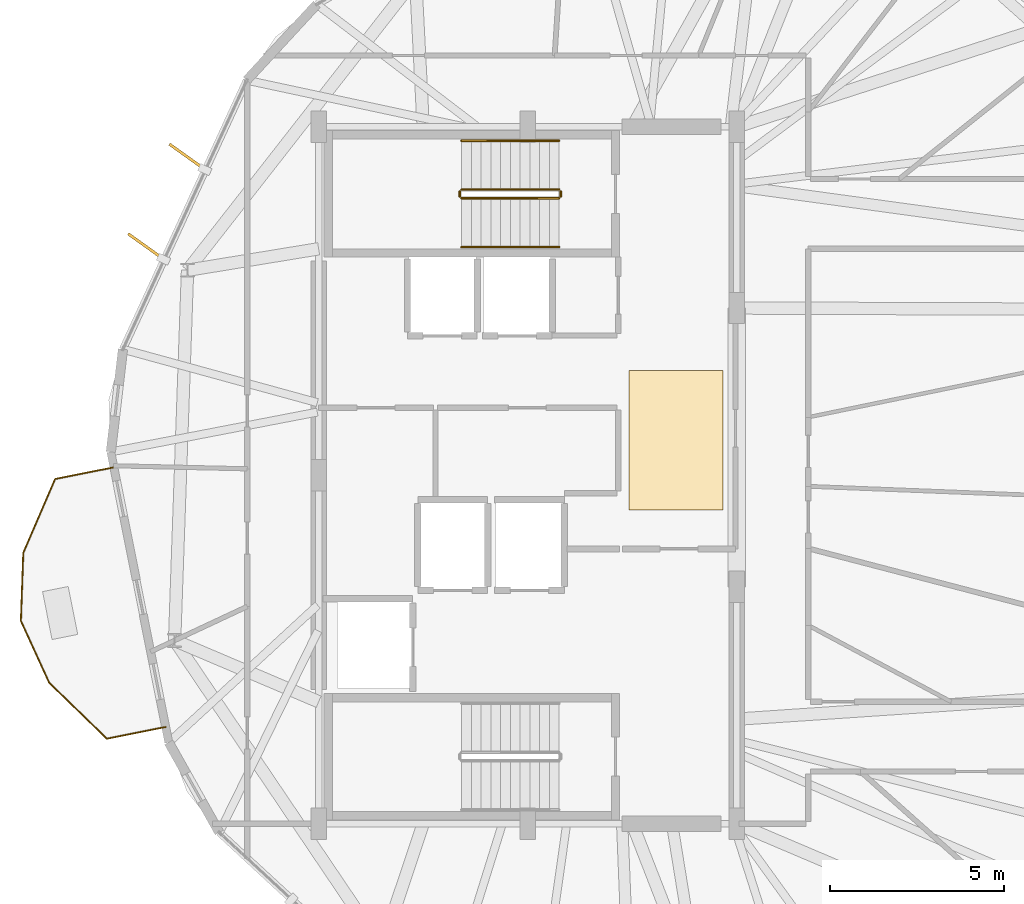
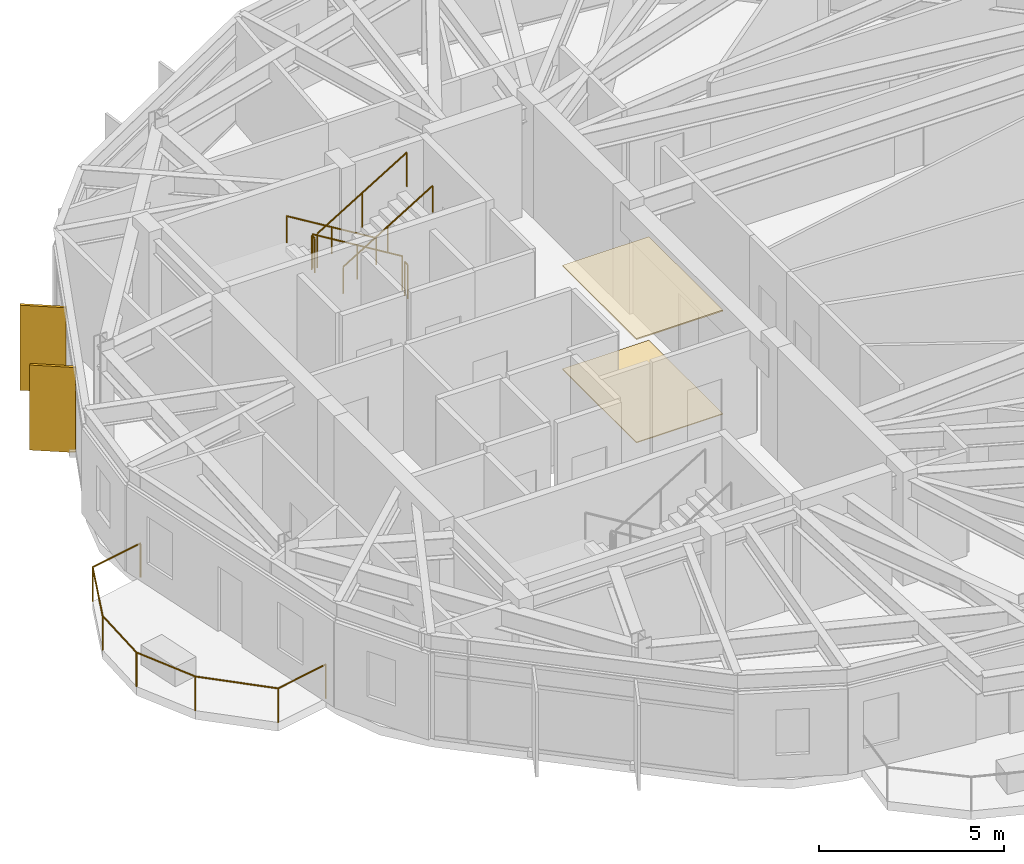
# One storey, part 24 of 25: 7 railings, 2 coverings, 2 shading devices.
"""IFC4 building model written with IfcOpenShell, lengths in metres."""

from ifc_helpers import new_model, si_unit, direction, frame, origin, origin_2d, place, context, subcontext, project, spatial, polyline, rectangle, circle, outline, extrude, material, layer, layer_set, type_object, element, save


model = new_model("IFC4")

# Units and contexts
model_context = context("Model", 3, precision=1e-05, world=origin(), true_north=direction((0.0, 1.0)))
body_context = subcontext(model_context, "Body", "Model", "MODEL_VIEW")
ifc_project = project(units=[si_unit("LENGTHUNIT", "METRE"), si_unit("AREAUNIT", "SQUARE_METRE"), si_unit("VOLUMEUNIT", "CUBIC_METRE"), si_unit("PLANEANGLEUNIT", "RADIAN"), si_unit("MASSUNIT", "GRAM", prefix="KILO")], contexts=[model_context])

# Site, building, storey
site_placement = place(None, origin())
site = spatial("IfcSite", under=ifc_project, at=site_placement, CompositionType="ELEMENT")
building_placement = place(site_placement, origin())
building = spatial("IfcBuilding", under=site, at=building_placement, Name="Soratama Intermodal Tower", CompositionType="ELEMENT")
storey_placement = place(building_placement, frame((0.0, 0.0, 272.5)))
storey = spatial("IfcBuildingStorey", under=building, at=storey_placement, Name="L69", CompositionType="ELEMENT", Elevation=272.5)

# Coverings
ifc_material_1 = material(Name="Perforated mineral acoustic ceiling", Category="concrete")
ifc_layer_1 = layer(ifc_material_1, 0.0400390625)
ifc_layer_set_1 = layer_set([ifc_layer_1], Name="Perforated mineral acoustic ceiling")
covering_type_1 = type_object("IfcCoveringType", Name="CV-CEIL-ACOUSTIC", PredefinedType="CEILING", material=ifc_layer_set_1)
covering_1_placement = place(storey_placement, frame((0.0, 0.0, 3.409912109375)))
element("IfcCovering", 1, at=covering_1_placement, inside=storey, type_object=covering_type_1, Name="L69 Acoustic Ceiling", PredefinedType="CEILING", context=body_context, shape_type="SweptSolid", body=[
    extrude(outline(polyline([(41.5, 24.0), (44.199951171875, 24.0), (44.199951171875, 28.0), (41.5, 28.0), (41.5, 24.0)])), origin(), (0.0, 0.0, 1.0), 0.0400390625),
])
ifc_material_2 = material(Name="Polished Andean stone terrazzo flooring", Category="masonry")
ifc_layer_2 = layer(ifc_material_2, 0.030029296875)
ifc_layer_set_2 = layer_set([ifc_layer_2], Name="Polished Andean stone terrazzo flooring")
covering_type_2 = type_object("IfcCoveringType", Name="CV-FLOR-TERRAZZO", PredefinedType="FLOORING", material=ifc_layer_set_2)
covering_2_placement = place(storey_placement, origin())
element("IfcCovering", 2, at=covering_2_placement, inside=storey, type_object=covering_type_2, Name="L69 Lobby Terrazzo Flooring", PredefinedType="FLOORING", context=body_context, shape_type="SweptSolid", body=[
    extrude(outline(polyline([(41.5, 24.0), (44.199951171875, 24.0), (44.199951171875, 28.0), (41.5, 28.0), (41.5, 24.0)])), origin(), (0.0, 0.0, 1.0), 0.030029296875),
])

# Railings
ifc_material_3 = material(Name="Laminated glass and stainless steel balustrade", Category="steel")
railing_type_1 = type_object("IfcRailingType", Name="RL-BAL-1150", PredefinedType="BALUSTRADE", material=ifc_material_3)
railing_1_placement = place(storey_placement, frame((28.208740234375, 17.776123046875, 0.0)))
element("IfcRailing", 3, at=railing_1_placement, inside=storey, type_object=railing_type_1, Name="L69 Balcony Balustrade 2", PredefinedType="BALUSTRADE", context=body_context, shape_type="SweptSolid", body=[
    extrude(circle(Radius=0.02392578125, at=origin_2d()), frame((0.0, 0.0, 1.1259765625), z_axis=(-0.98068426612, -0.19559746978, 0.0), x_axis=(0.19559746978, -0.98068426612, 0.0)), (0.0, 0.0, 1.0), 1.719970703125),
    extrude(circle(Radius=0.02392578125, at=origin_2d()), frame((-1.686767578125, -0.33642578125, 1.1259765625), z_axis=(-0.717969268323, 0.696074801831, 0.0), x_axis=(-0.696074801831, -0.717969268323, 0.0)), (0.0, 0.0, 1.0), 2.30810546875),
    extrude(circle(Radius=0.02392578125, at=origin_2d()), frame((-3.343994140625, 1.270263671875, 1.1259765625), z_axis=(-0.41588386792, 0.909417730421, 0.0), x_axis=(-0.909417730421, -0.41588386792, 0.0)), (0.0, 0.0, 1.0), 1.952392578125),
    extrude(circle(Radius=0.02392578125, at=origin_2d()), frame((-4.156005859375, 3.0458984375, 1.1259765625), z_axis=(0.035267747173, 0.9993778995, 0.0), x_axis=(-0.9993778995, 0.035267747173, 0.0)), (0.0, 0.0, 1.0), 1.9521484375),
    extrude(circle(Radius=0.02392578125, at=origin_2d()), frame((-4.087158203125, 4.996826171875, 1.1259765625), z_axis=(0.395897013826, 0.918294916921, 0.0), x_axis=(-0.918294916921, 0.395897013826, 0.0)), (0.0, 0.0, 1.0), 2.30810546875),
    extrude(circle(Radius=0.02392578125, at=origin_2d()), frame((-3.17333984375, 7.116455078125, 1.1259765625), z_axis=(0.98068426612, 0.19559746978, 0.0), x_axis=(-0.19559746978, 0.98068426612, 0.0)), (0.0, 0.0, 1.0), 1.719970703125),
    extrude(circle(Radius=0.02099609375, at=origin_2d()), origin(), (0.0, 0.0, 1.0), 1.101806640625),
    extrude(circle(Radius=0.02099609375, at=origin_2d()), frame((-1.686767578125, -0.33642578125, 0.0)), (0.0, 0.0, 1.0), 1.101806640625),
    extrude(circle(Radius=0.02099609375, at=origin_2d()), frame((-3.343994140625, 1.270263671875, 0.0)), (0.0, 0.0, 1.0), 1.101806640625),
    extrude(circle(Radius=0.02099609375, at=origin_2d()), frame((-4.156005859375, 3.0458984375, 0.0)), (0.0, 0.0, 1.0), 1.101806640625),
    extrude(circle(Radius=0.02099609375, at=origin_2d()), frame((-4.087158203125, 4.996826171875, 0.0)), (0.0, 0.0, 1.0), 1.101806640625),
    extrude(circle(Radius=0.02099609375, at=origin_2d()), frame((-3.17333984375, 7.116455078125, 0.0)), (0.0, 0.0, 1.0), 1.101806640625),
    extrude(circle(Radius=0.02099609375, at=origin_2d()), frame((-1.486572265625, 7.452880859375, 0.0)), (0.0, 0.0, 1.0), 1.101806640625),
])
ifc_material_4 = material(Name="Painted steel stair guardrail", Category="steel")
railing_type_2 = type_object("IfcRailingType", Name="RL-STAIR-GUARD", PredefinedType="GUARDRAIL", material=ifc_material_4)
railing_2_placement = place(storey_placement, frame((39.5, 33.199951171875, 0.17041015625)))
element("IfcRailing", 4, at=railing_2_placement, inside=storey, type_object=railing_type_2, Name="L69 ST-2 stair guard 1", PredefinedType="GUARDRAIL", context=body_context, shape_type="SweptSolid", body=[
    extrude(circle(Radius=0.02392578125, at=origin_2d()), frame((0.0, 0.0, 1.1259765625), z_axis=(-0.854169791009, 0.0, 0.51999420009), x_axis=(0.0, -1.0, 0.0)), (0.0, 0.0, 1.0), 3.278076171875),
    extrude(circle(Radius=0.02099609375, at=origin_2d()), origin(), (0.0, 0.0, 1.0), 1.101806640625),
    extrude(circle(Radius=0.02099609375, at=origin_2d()), frame((-1.39990234375, 0.0, 0.852294921875)), (0.0, 0.0, 1.0), 1.101806640625),
    extrude(circle(Radius=0.02099609375, at=origin_2d()), frame((-2.800048828125, 0.0, 1.70458984375)), (0.0, 0.0, 1.0), 1.101806640625),
])
railing_3_placement = place(storey_placement, frame((36.64990234375, 33.14990234375, 1.875)))
element("IfcRailing", 5, at=railing_3_placement, inside=storey, type_object=railing_type_2, Name="L69 ST-2 stair guard 2", PredefinedType="GUARDRAIL", context=body_context, shape_type="SweptSolid", body=[
    extrude(circle(Radius=0.02392578125, at=origin_2d()), frame((0.0, 0.0, 1.1259765625), z_axis=(0.0, -1.0, 0.0), x_axis=(1.0, 0.0, 0.0)), (0.0, 0.0, 1.0), 0.14990234375),
    extrude(circle(Radius=0.02099609375, at=origin_2d()), origin(), (0.0, 0.0, 1.0), 1.101806640625),
    extrude(circle(Radius=0.02099609375, at=origin_2d()), frame((0.0, -0.14990234375, 0.0)), (0.0, 0.0, 1.0), 1.101806640625),
])
railing_4_placement = place(storey_placement, frame((36.699951171875, 32.949951171875, 2.04541015625)))
element("IfcRailing", 6, at=railing_4_placement, inside=storey, type_object=railing_type_2, Name="L69 ST-2 stair guard 3", PredefinedType="GUARDRAIL", context=body_context, shape_type="SweptSolid", body=[
    extrude(circle(Radius=0.02392578125, at=origin_2d()), frame((0.0, 0.0, 1.1259765625), z_axis=(0.854169791009, 0.0, 0.51999420009), x_axis=(0.0, 1.0, 0.0)), (0.0, 0.0, 1.0), 3.278076171875),
    extrude(circle(Radius=0.02099609375, at=origin_2d()), origin(), (0.0, 0.0, 1.0), 1.101806640625),
    extrude(circle(Radius=0.02099609375, at=origin_2d()), frame((1.39990234375, 0.0, 0.852294921875)), (0.0, 0.0, 1.0), 1.101806640625),
    extrude(circle(Radius=0.02099609375, at=origin_2d()), frame((2.800048828125, 0.0, 1.70458984375)), (0.0, 0.0, 1.0), 1.101806640625),
])
railing_5_placement = place(storey_placement, frame((39.550048828125, 33.14990234375, 0.0)))
element("IfcRailing", 7, at=railing_5_placement, inside=storey, type_object=railing_type_2, Name="L69 ST-2 stair guard 4", PredefinedType="GUARDRAIL", context=body_context, shape_type="SweptSolid", body=[
    extrude(circle(Radius=0.02392578125, at=origin_2d()), frame((0.0, 0.0, 1.1259765625), z_axis=(0.0, -1.0, 0.0), x_axis=(1.0, 0.0, 0.0)), (0.0, 0.0, 1.0), 0.14990234375),
    extrude(circle(Radius=0.02099609375, at=origin_2d()), origin(), (0.0, 0.0, 1.0), 1.101806640625),
    extrude(circle(Radius=0.02099609375, at=origin_2d()), frame((0.0, -0.14990234375, 0.0)), (0.0, 0.0, 1.0), 1.101806640625),
])
ifc_material_5 = material(Name="Brushed stainless steel handrail", Category="steel")
railing_type_3 = type_object("IfcRailingType", Name="RL-STAIR-HAND", PredefinedType="HANDRAIL", material=ifc_material_5)
railing_6_placement = place(storey_placement, frame((39.5, 34.60009765625, 0.17041015625)))
element("IfcRailing", 8, at=railing_6_placement, inside=storey, type_object=railing_type_3, Name="L69 ST-2 stair handrail 1", PredefinedType="HANDRAIL", context=body_context, shape_type="SweptSolid", body=[
    extrude(circle(Radius=0.02392578125, at=origin_2d()), frame((0.0, 0.0, 0.8759765625), z_axis=(-0.854169791009, 0.0, 0.51999420009), x_axis=(0.0, -1.0, 0.0)), (0.0, 0.0, 1.0), 3.278076171875),
    extrude(circle(Radius=0.02099609375, at=origin_2d()), origin(), (0.0, 0.0, 1.0), 0.851806640625),
    extrude(circle(Radius=0.02099609375, at=origin_2d()), frame((-1.39990234375, 0.0, 0.852294921875)), (0.0, 0.0, 1.0), 0.851806640625),
    extrude(circle(Radius=0.02099609375, at=origin_2d()), frame((-2.800048828125, 0.0, 1.70458984375)), (0.0, 0.0, 1.0), 0.851806640625),
])
railing_7_placement = place(storey_placement, frame((36.699951171875, 31.550048828125, 2.04541015625)))
element("IfcRailing", 9, at=railing_7_placement, inside=storey, type_object=railing_type_3, Name="L69 ST-2 stair handrail 2", PredefinedType="HANDRAIL", context=body_context, shape_type="SweptSolid", body=[
    extrude(circle(Radius=0.02392578125, at=origin_2d()), frame((0.0, 0.0, 0.8759765625), z_axis=(0.854169791009, 0.0, 0.51999420009), x_axis=(0.0, 1.0, 0.0)), (0.0, 0.0, 1.0), 3.278076171875),
    extrude(circle(Radius=0.02099609375, at=origin_2d()), origin(), (0.0, 0.0, 1.0), 0.851806640625),
    extrude(circle(Radius=0.02099609375, at=origin_2d()), frame((1.39990234375, 0.0, 0.852294921875)), (0.0, 0.0, 1.0), 0.851806640625),
    extrude(circle(Radius=0.02099609375, at=origin_2d()), frame((2.800048828125, 0.0, 1.70458984375)), (0.0, 0.0, 1.0), 0.851806640625),
])

# Shading devices
ifc_material_6 = material(Name="Champagne anodised aluminium solar fin", Category="aluminium")
ifc_layer_3 = layer(ifc_material_6, 0.080078125)
ifc_layer_set_3 = layer_set([ifc_layer_3], Name="Champagne anodised aluminium solar fin")
shading_device_type = type_object("IfcShadingDeviceType", Name="SH-FIN-1250", PredefinedType="USERDEFINED", material=ifc_layer_set_3)
for number, where, z_axis, x_axis, name in (
    (10, (28.82666015625, 34.139404296875, 0.02001953125), (0.0, 0.0, 1.0), (-0.812897512265, 0.582406760395, 0.0), "L69 Solar Fin F03-1"),
    (11, (27.641845703125, 31.56591796875, 0.02001953125), (0.0, 0.0, 1.0), (-0.812897512265, 0.582406760395, 0.0), "L69 Solar Fin F03-2"),
):
    element("IfcShadingDevice", number, at=place(storey_placement, frame(where, z_axis=z_axis, x_axis=x_axis)), inside=storey, type_object=shading_device_type, Name=name, ObjectType="FIN", PredefinedType="USERDEFINED", context=body_context, shape_type="SweptSolid", body=[
        extrude(rectangle(XDim=1.25, YDim=0.080078125, at=origin_2d()), origin(), (0.0, 0.0, 1.0), 2.80908203125),
    ])

save(model, "model.ifc")
